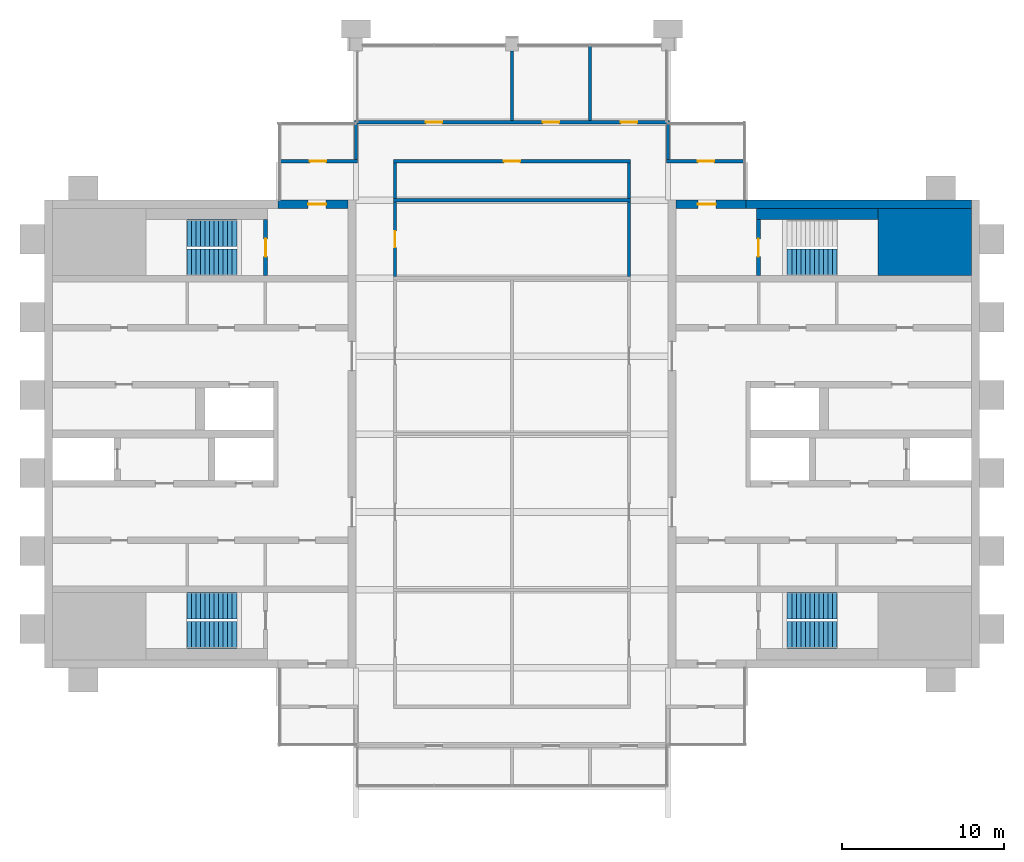
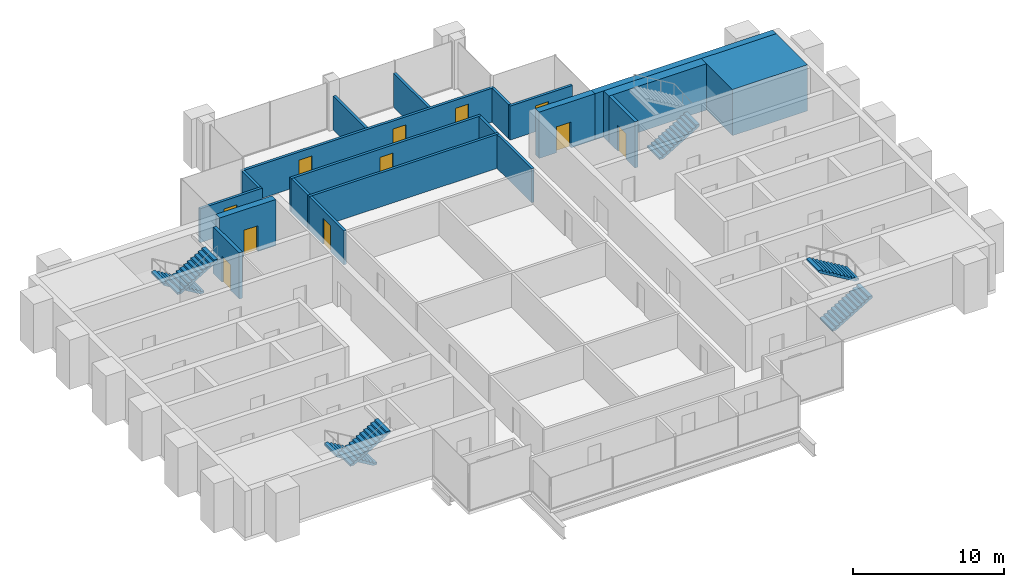
# One storey, part 10 of 12: 20 walls, 11 doors, 7 stair flights, 11 openings, 4 elements without a shape of their own.
"""IFC4 building model written with IfcOpenShell, lengths in metres."""

from ifc_helpers import new_model, si_unit, direction, frame, frame_2d, origin, place, context, subcontext, project, spatial, polyline, rectangle, outline, extrude, material, layer, layer_set, type_object, element, fill, aggregate, save


model = new_model("IFC4")

# Units and contexts
model_context = context("Model", 3, precision=1e-05, world=origin(), true_north=direction((0.0, 1.0)))
body_context = subcontext(model_context, "Body", "Model", "MODEL_VIEW")
ifc_project = project(units=[si_unit("LENGTHUNIT", "METRE"), si_unit("AREAUNIT", "SQUARE_METRE"), si_unit("VOLUMEUNIT", "CUBIC_METRE"), si_unit("PLANEANGLEUNIT", "RADIAN"), si_unit("MASSUNIT", "GRAM", prefix="KILO")], contexts=[model_context])

# Site, building, storey
site_placement = place(None, origin())
site = spatial("IfcSite", under=ifc_project, at=site_placement, CompositionType="ELEMENT")
building_placement = place(site_placement, origin())
building = spatial("IfcBuilding", under=site, at=building_placement, Name="Baori Bourse Tower", CompositionType="ELEMENT")
storey_placement = place(building_placement, frame((0.0, 0.0, 362.300048828125)))
storey = spatial("IfcBuildingStorey", under=building, at=storey_placement, Name="L81", CompositionType="ELEMENT", Elevation=362.300048828125)

# Wall
ifc_material_1 = material(Name="Concrete f'c 40 MPa", Category="concrete")
wall_type_1 = type_object("IfcWallType", Name="Core corner block f'c 40", PredefinedType="SHEAR", material=ifc_material_1)
wall_1_placement = place(storey_placement, frame((51.35009765625, 35.824951171875, 0.0), z_axis=(0.0, 0.0, 1.0), x_axis=(1.0, 0.0, 0.0)))
element("IfcWall", 1, at=wall_1_placement, inside=storey, type_object=wall_type_1, Name="Core wall E23", PredefinedType="SHEAR", context=body_context, shape_type="SweptSolid", body=[
    extrude(rectangle(XDim=5.75, YDim=4.14990234375, at=frame_2d((2.875, 0.0))), origin(), (0.0, 0.0, 1.0), 3.75),
])

# Wall, opening, door
ifc_material_2 = material(Name="Concrete f'c 40 MPa", Category="concrete")
ifc_layer_1 = layer(ifc_material_2, 0.5)
ifc_layer_set_1 = layer_set([ifc_layer_1], Name="Core wall 500 f'c 40")
wall_type_2 = type_object("IfcWallType", Name="Core wall 500 f'c 40", PredefinedType="SHEAR", material=ifc_layer_set_1)
wall_2_placement = place(storey_placement, frame((14.39990234375, 38.14990234375, 0.0), z_axis=(0.0, 0.0, 1.0), x_axis=(1.0, 0.0, 0.0)))
wall_2 = element("IfcWall", 2, at=wall_2_placement, inside=storey, type_object=wall_type_2, Name="Core wall W27", PredefinedType="SHEAR", context=body_context, shape_type="SweptSolid", body=[
    extrude(rectangle(XDim=4.300048828125, YDim=0.5, at=frame_2d((2.14990234375, 0.0))), origin(), (0.0, 0.0, 1.0), 3.75),
])
opening_1_placement = place(wall_2_placement, frame((1.85009765625, 0.0, 0.0)))
opening_1 = element("IfcOpeningElement", 3, at=opening_1_placement, cuts=wall_2, Name="Opening L81-D104", PredefinedType="OPENING", context=body_context, shape_type="SweptSolid", body=[
    extrude(rectangle(XDim=1.10009765625, YDim=2.10009765625, at=frame_2d((0.550048828125, 1.050048828125))), frame((0.0, 0.260009765625, 0.0), z_axis=(0.0, -1.0, 0.0), x_axis=(1.0, 0.0, 0.0)), (0.0, 0.0, 1.0), 0.52001953125),
])
ifc_material_3 = material(Name="Painted steel door", Category="steel")
door_type_1 = type_object("IfcDoorType", Name="Stair door 1100", OperationType="SINGLE_SWING_LEFT", PredefinedType="DOOR", material=ifc_material_3)
door_1_placement = place(opening_1_placement, origin())
door_1 = element("IfcDoor", 4, at=door_1_placement, inside=storey, type_object=door_type_1, Name="Stair vestibule door B W L81", OperationType="SINGLE_SWING_LEFT", OverallHeight=2.10009765625, OverallWidth=1.10009765625, PredefinedType="DOOR", context=body_context, shape_type="SweptSolid", body=[
    extrude(rectangle(XDim=1.10009765625, YDim=2.10009765625, at=frame_2d((0.550048828125, 1.050048828125))), frame((0.0, 0.02490234375, 0.0), z_axis=(0.0, -1.0, 0.0), x_axis=(1.0, 0.0, 0.0)), (0.0, 0.0, 1.0), 0.050048828125),
])
fill(opening_1, door_1)

# Wall
wall_3_placement = place(storey_placement, frame((43.199951171875, 38.14990234375, 0.0), z_axis=(0.0, 0.0, 1.0), x_axis=(1.0, 0.0, 0.0)))
element("IfcWall", 5, at=wall_3_placement, inside=storey, type_object=wall_type_2, Name="Core wall E26", PredefinedType="SHEAR", context=body_context, shape_type="SweptSolid", body=[
    extrude(rectangle(XDim=13.900146484375, YDim=0.5, at=frame_2d((6.9501953125, 0.0))), origin(), (0.0, 0.0, 1.0), 3.75),
])

# Wall, opening, door
wall_4_placement = place(storey_placement, frame((38.89990234375, 38.14990234375, 0.0), z_axis=(0.0, 0.0, 1.0), x_axis=(1.0, 0.0, 0.0)))
wall_4 = element("IfcWall", 6, at=wall_4_placement, inside=storey, type_object=wall_type_2, Name="Core wall E27", PredefinedType="SHEAR", context=body_context, shape_type="SweptSolid", body=[
    extrude(rectangle(XDim=4.300048828125, YDim=0.5, at=frame_2d((2.14990234375, 0.0))), origin(), (0.0, 0.0, 1.0), 3.75),
])
opening_2_placement = place(wall_4_placement, frame((1.35009765625, 0.0, 0.0)))
opening_2 = element("IfcOpeningElement", 7, at=opening_2_placement, cuts=wall_4, Name="Opening L81-D204", PredefinedType="OPENING", context=body_context, shape_type="SweptSolid", body=[
    extrude(rectangle(XDim=1.10009765625, YDim=2.10009765625, at=frame_2d((0.550048828125, 1.050048828125))), frame((0.0, 0.260009765625, 0.0), z_axis=(0.0, -1.0, 0.0), x_axis=(1.0, 0.0, 0.0)), (0.0, 0.0, 1.0), 0.52001953125),
])
door_2_placement = place(opening_2_placement, origin())
door_2 = element("IfcDoor", 8, at=door_2_placement, inside=storey, type_object=door_type_1, Name="Stair vestibule door B E L81", OperationType="SINGLE_SWING_LEFT", OverallHeight=2.10009765625, OverallWidth=1.10009765625, PredefinedType="DOOR", context=body_context, shape_type="SweptSolid", body=[
    extrude(rectangle(XDim=1.10009765625, YDim=2.10009765625, at=frame_2d((0.550048828125, 1.050048828125))), frame((0.0, 0.02490234375, 0.0), z_axis=(0.0, -1.0, 0.0), x_axis=(1.0, 0.0, 0.0)), (0.0, 0.0, 1.0), 0.050048828125),
])
fill(opening_2, door_2)

# Wall
ifc_material_4 = material(Name="Gypsum board partition")
ifc_layer_2 = layer(ifc_material_4, 0.199951171875)
ifc_layer_set_2 = layer_set([ifc_layer_2], Name="Plant room wall 200")
wall_type_3 = type_object("IfcWallType", Name="Plant room wall 200", PredefinedType="PARTITIONING", material=ifc_layer_set_2)
wall_5_placement = place(storey_placement, frame((21.5, 38.39990234375, 0.0), z_axis=(0.0, 0.0, 1.0), x_axis=(1.0, 0.0, 0.0)))
element("IfcWall", 9, at=wall_5_placement, inside=storey, type_object=wall_type_3, Name="Partition", PredefinedType="PARTITIONING", context=body_context, shape_type="SweptSolid", body=[
    extrude(rectangle(XDim=14.60009765625, YDim=0.199951171875, at=frame_2d((7.300048828125, 0.0))), origin(), (0.0, 0.0, 1.0), 2.75927734375),
])

# Wall, opening, door
wall_6_placement = place(storey_placement, frame((14.5, 40.800048828125, 0.0), z_axis=(0.0, 0.0, 1.0), x_axis=(1.0, 0.0, 0.0)))
wall_6 = element("IfcWall", 10, at=wall_6_placement, inside=storey, type_object=wall_type_3, Name="Partition", PredefinedType="PARTITIONING", context=body_context, shape_type="SweptSolid", body=[
    extrude(rectangle(XDim=4.800048828125, YDim=0.199951171875, at=frame_2d((2.39990234375, 0.0))), origin(), (0.0, 0.0, 1.0), 2.75927734375),
])
opening_3_placement = place(wall_6_placement, frame((1.85009765625, 0.0, 0.0)))
opening_3 = element("IfcOpeningElement", 11, at=opening_3_placement, cuts=wall_6, Name="Opening L81-D06", PredefinedType="OPENING", context=body_context, shape_type="SweptSolid", body=[
    extrude(rectangle(XDim=1.0, YDim=2.10009765625, at=frame_2d((0.5, 1.050048828125))), frame((0.0, 0.10986328125, 0.0), z_axis=(0.0, -1.0, 0.0), x_axis=(1.0, 0.0, 0.0)), (0.0, 0.0, 1.0), 0.219970703125),
])
ifc_material_5 = material(Name="Timber door leaf", Category="wood")
door_type_2 = type_object("IfcDoorType", Name="Door 1000 x 2100", OperationType="SINGLE_SWING_LEFT", PredefinedType="DOOR", material=ifc_material_5)
door_3_placement = place(opening_3_placement, origin())
door_3 = element("IfcDoor", 12, at=door_3_placement, inside=storey, type_object=door_type_2, Name="Door", OperationType="SINGLE_SWING_RIGHT", OverallHeight=2.10009765625, OverallWidth=1.0, PredefinedType="DOOR", context=body_context, shape_type="SweptSolid", body=[
    extrude(rectangle(XDim=1.0, YDim=2.10009765625, at=frame_2d((0.5, 1.050048828125))), frame((0.0, 0.02490234375, 0.0), z_axis=(0.0, -1.0, 0.0), x_axis=(1.0, 0.0, 0.0)), (0.0, 0.0, 1.0), 0.050048828125),
])
fill(opening_3, door_3)

wall_7_placement = place(storey_placement, frame((21.5, 40.800048828125, 0.0), z_axis=(0.0, 0.0, 1.0), x_axis=(1.0, 0.0, 0.0)))
wall_7 = element("IfcWall", 13, at=wall_7_placement, inside=storey, type_object=wall_type_3, Name="Partition", PredefinedType="PARTITIONING", context=body_context, shape_type="SweptSolid", body=[
    extrude(rectangle(XDim=14.60009765625, YDim=0.199951171875, at=frame_2d((7.300048828125, 0.0))), origin(), (0.0, 0.0, 1.0), 2.75927734375),
])
opening_4_placement = place(wall_7_placement, frame((6.800048828125, 0.0, 0.0)))
opening_4 = element("IfcOpeningElement", 14, at=opening_4_placement, cuts=wall_7, Name="Opening L81-D07", PredefinedType="OPENING", context=body_context, shape_type="SweptSolid", body=[
    extrude(rectangle(XDim=1.0, YDim=2.10009765625, at=frame_2d((0.5, 1.050048828125))), frame((0.0, 0.10986328125, 0.0), z_axis=(0.0, -1.0, 0.0), x_axis=(1.0, 0.0, 0.0)), (0.0, 0.0, 1.0), 0.219970703125),
])
door_4_placement = place(opening_4_placement, origin())
door_4 = element("IfcDoor", 15, at=door_4_placement, inside=storey, type_object=door_type_2, Name="Door", OperationType="SINGLE_SWING_LEFT", OverallHeight=2.10009765625, OverallWidth=1.0, PredefinedType="DOOR", context=body_context, shape_type="SweptSolid", body=[
    extrude(rectangle(XDim=1.0, YDim=2.10009765625, at=frame_2d((0.5, 1.050048828125))), frame((0.0, 0.02490234375, 0.0), z_axis=(0.0, -1.0, 0.0), x_axis=(1.0, 0.0, 0.0)), (0.0, 0.0, 1.0), 0.050048828125),
])
fill(opening_4, door_4)

wall_8_placement = place(storey_placement, frame((38.300048828125, 40.800048828125, 0.0), z_axis=(0.0, 0.0, 1.0), x_axis=(1.0, 0.0, 0.0)))
wall_8 = element("IfcWall", 16, at=wall_8_placement, inside=storey, type_object=wall_type_3, Name="Partition", PredefinedType="PARTITIONING", context=body_context, shape_type="SweptSolid", body=[
    extrude(rectangle(XDim=4.800048828125, YDim=0.199951171875, at=frame_2d((2.39990234375, 0.0))), origin(), (0.0, 0.0, 1.0), 2.75927734375),
])
opening_5_placement = place(wall_8_placement, frame((1.949951171875, 0.0, 0.0)))
opening_5 = element("IfcOpeningElement", 17, at=opening_5_placement, cuts=wall_8, Name="Opening L81-D08", PredefinedType="OPENING", context=body_context, shape_type="SweptSolid", body=[
    extrude(rectangle(XDim=1.0, YDim=2.10009765625, at=frame_2d((0.5, 1.050048828125))), frame((0.0, 0.10986328125, 0.0), z_axis=(0.0, -1.0, 0.0), x_axis=(1.0, 0.0, 0.0)), (0.0, 0.0, 1.0), 0.219970703125),
])
door_5_placement = place(opening_5_placement, origin())
door_5 = element("IfcDoor", 18, at=door_5_placement, inside=storey, type_object=door_type_2, Name="Door", OperationType="SINGLE_SWING_LEFT", OverallHeight=2.10009765625, OverallWidth=1.0, PredefinedType="DOOR", context=body_context, shape_type="SweptSolid", body=[
    extrude(rectangle(XDim=1.0, YDim=2.10009765625, at=frame_2d((0.5, 1.050048828125))), frame((0.0, 0.02490234375, 0.0), z_axis=(0.0, -1.0, 0.0), x_axis=(1.0, 0.0, 0.0)), (0.0, 0.0, 1.0), 0.050048828125),
])
fill(opening_5, door_5)

# Wall, openings, doors
wall_9_placement = place(storey_placement, frame((19.10009765625, 43.199951171875, 0.0), z_axis=(0.0, 0.0, 1.0), x_axis=(1.0, 0.0, 0.0)))
wall_9 = element("IfcWall", 19, at=wall_9_placement, inside=storey, type_object=wall_type_3, Name="Partition", PredefinedType="PARTITIONING", context=body_context, shape_type="SweptSolid", body=[
    extrude(rectangle(XDim=19.39990234375, YDim=0.199951171875, at=frame_2d((9.699951171875, 0.0))), origin(), (0.0, 0.0, 1.0), 2.75927734375),
])
opening_6_placement = place(wall_9_placement, frame((4.39990234375, 0.0, 0.0)))
opening_6 = element("IfcOpeningElement", 20, at=opening_6_placement, cuts=wall_9, Name="Opening L81-D09", PredefinedType="OPENING", context=body_context, shape_type="SweptSolid", body=[
    extrude(rectangle(XDim=1.0, YDim=2.10009765625, at=frame_2d((0.5, 1.050048828125))), frame((0.0, 0.10986328125, 0.0), z_axis=(0.0, -1.0, 0.0), x_axis=(1.0, 0.0, 0.0)), (0.0, 0.0, 1.0), 0.219970703125),
])
opening_7_placement = place(wall_9_placement, frame((11.60009765625, 0.0, 0.0)))
opening_7 = element("IfcOpeningElement", 21, at=opening_7_placement, cuts=wall_9, Name="Opening L81-D10", PredefinedType="OPENING", context=body_context, shape_type="SweptSolid", body=[
    extrude(rectangle(XDim=1.0, YDim=2.10009765625, at=frame_2d((0.5, 1.050048828125))), frame((0.0, 0.10986328125, 0.0), z_axis=(0.0, -1.0, 0.0), x_axis=(1.0, 0.0, 0.0)), (0.0, 0.0, 1.0), 0.219970703125),
])
opening_8_placement = place(wall_9_placement, frame((16.39990234375, 0.0, 0.0)))
opening_8 = element("IfcOpeningElement", 22, at=opening_8_placement, cuts=wall_9, Name="Opening L81-D11", PredefinedType="OPENING", context=body_context, shape_type="SweptSolid", body=[
    extrude(rectangle(XDim=1.0, YDim=2.10009765625, at=frame_2d((0.5, 1.050048828125))), frame((0.0, 0.10986328125, 0.0), z_axis=(0.0, -1.0, 0.0), x_axis=(1.0, 0.0, 0.0)), (0.0, 0.0, 1.0), 0.219970703125),
])
door_6_placement = place(opening_6_placement, origin())
door_6 = element("IfcDoor", 23, at=door_6_placement, inside=storey, type_object=door_type_2, Name="Door", OperationType="SINGLE_SWING_RIGHT", OverallHeight=2.10009765625, OverallWidth=1.0, PredefinedType="DOOR", context=body_context, shape_type="SweptSolid", body=[
    extrude(rectangle(XDim=1.0, YDim=2.10009765625, at=frame_2d((0.5, 1.050048828125))), frame((0.0, 0.02490234375, 0.0), z_axis=(0.0, -1.0, 0.0), x_axis=(1.0, 0.0, 0.0)), (0.0, 0.0, 1.0), 0.050048828125),
])
fill(opening_6, door_6)
door_7_placement = place(opening_7_placement, origin())
door_7 = element("IfcDoor", 24, at=door_7_placement, inside=storey, type_object=door_type_2, Name="Door", OperationType="SINGLE_SWING_LEFT", OverallHeight=2.10009765625, OverallWidth=1.0, PredefinedType="DOOR", context=body_context, shape_type="SweptSolid", body=[
    extrude(rectangle(XDim=1.0, YDim=2.10009765625, at=frame_2d((0.5, 1.050048828125))), frame((0.0, 0.02490234375, 0.0), z_axis=(0.0, -1.0, 0.0), x_axis=(1.0, 0.0, 0.0)), (0.0, 0.0, 1.0), 0.050048828125),
])
fill(opening_7, door_7)
door_8_placement = place(opening_8_placement, origin())
door_8 = element("IfcDoor", 25, at=door_8_placement, inside=storey, type_object=door_type_2, Name="Door", OperationType="SINGLE_SWING_LEFT", OverallHeight=2.10009765625, OverallWidth=1.0, PredefinedType="DOOR", context=body_context, shape_type="SweptSolid", body=[
    extrude(rectangle(XDim=1.0, YDim=2.10009765625, at=frame_2d((0.5, 1.050048828125))), frame((0.0, 0.02490234375, 0.0), z_axis=(0.0, -1.0, 0.0), x_axis=(1.0, 0.0, 0.0)), (0.0, 0.0, 1.0), 0.050048828125),
])
fill(opening_8, door_8)

# Wall
wall_10_placement = place(storey_placement, frame((19.199951171875, 40.89990234375, 0.0), z_axis=(0.0, 0.0, 1.0), x_axis=(0.0, 1.0, 0.0)))
element("IfcWall", 26, at=wall_10_placement, inside=storey, type_object=wall_type_3, Name="Partition", PredefinedType="PARTITIONING", context=body_context, shape_type="SweptSolid", body=[
    extrude(rectangle(XDim=2.2001953125, YDim=0.199951171875, at=frame_2d((1.10009765625, 0.0))), origin(), (0.0, 0.0, 1.0), 2.75927734375),
])

# Wall, opening, door
wall_11_placement = place(storey_placement, frame((21.60009765625, 33.699951171875, 0.0), z_axis=(0.0, 0.0, 1.0), x_axis=(0.0, 1.0, 0.0)))
wall_11 = element("IfcWall", 27, at=wall_11_placement, inside=storey, type_object=wall_type_3, Name="Partition", PredefinedType="PARTITIONING", context=body_context, shape_type="SweptSolid", body=[
    extrude(rectangle(XDim=4.60009765625, YDim=0.199951171875, at=frame_2d((2.300048828125, 0.0))), origin(), (0.0, 0.0, 1.0), 2.75927734375),
])
opening_9_placement = place(wall_11_placement, frame((1.800048828125, 0.0, 0.0)))
opening_9 = element("IfcOpeningElement", 28, at=opening_9_placement, cuts=wall_11, Name="Opening L81-D15", PredefinedType="OPENING", context=body_context, shape_type="SweptSolid", body=[
    extrude(rectangle(XDim=1.0, YDim=2.10009765625, at=frame_2d((0.5, 1.050048828125))), frame((0.0, 0.10986328125, 0.0), z_axis=(0.0, -1.0, 0.0), x_axis=(1.0, 0.0, 0.0)), (0.0, 0.0, 1.0), 0.219970703125),
])
door_9_placement = place(opening_9_placement, origin())
door_9 = element("IfcDoor", 29, at=door_9_placement, inside=storey, type_object=door_type_2, Name="Door", OperationType="SINGLE_SWING_LEFT", OverallHeight=2.10009765625, OverallWidth=1.0, PredefinedType="DOOR", context=body_context, shape_type="SweptSolid", body=[
    extrude(rectangle(XDim=1.0, YDim=2.10009765625, at=frame_2d((0.5, 1.050048828125))), frame((0.0, 0.02490234375, 0.0), z_axis=(0.0, -1.0, 0.0), x_axis=(1.0, 0.0, 0.0)), (0.0, 0.0, 1.0), 0.050048828125),
])
fill(opening_9, door_9)

# Walls
wall_12_placement = place(storey_placement, frame((21.60009765625, 38.5, 0.0), z_axis=(0.0, 0.0, 1.0), x_axis=(0.0, 1.0, 0.0)))
element("IfcWall", 30, at=wall_12_placement, inside=storey, type_object=wall_type_3, Name="Partition", PredefinedType="PARTITIONING", context=body_context, shape_type="SweptSolid", body=[
    extrude(rectangle(XDim=2.199951171875, YDim=0.199951171875, at=frame_2d((1.10009765625, 0.0))), origin(), (0.0, 0.0, 1.0), 2.75927734375),
])
wall_13_placement = place(storey_placement, frame((28.800048828125, 43.300048828125, 0.0), z_axis=(0.0, 0.0, 1.0), x_axis=(0.0, 1.0, 0.0)))
element("IfcWall", 31, at=wall_13_placement, inside=storey, type_object=wall_type_3, Name="Partition", PredefinedType="PARTITIONING", context=body_context, shape_type="SweptSolid", body=[
    extrude(rectangle(XDim=4.300048828125, YDim=0.199951171875, at=frame_2d((2.14990234375, 0.0))), origin(), (0.0, 0.0, 1.0), 2.75927734375),
])
wall_14_placement = place(storey_placement, frame((33.60009765625, 43.300048828125, 0.0), z_axis=(0.0, 0.0, 1.0), x_axis=(0.0, 1.0, 0.0)))
element("IfcWall", 32, at=wall_14_placement, inside=storey, type_object=wall_type_3, Name="Partition", PredefinedType="PARTITIONING", context=body_context, shape_type="SweptSolid", body=[
    extrude(rectangle(XDim=4.599853515625, YDim=0.199951171875, at=frame_2d((2.2998046875, 0.0))), origin(), (0.0, 0.0, 1.0), 2.75927734375),
])
wall_15_placement = place(storey_placement, frame((36.0, 33.699951171875, 0.0), z_axis=(0.0, 0.0, 1.0), x_axis=(0.0, 1.0, 0.0)))
element("IfcWall", 33, at=wall_15_placement, inside=storey, type_object=wall_type_3, Name="Partition", PredefinedType="PARTITIONING", context=body_context, shape_type="SweptSolid", body=[
    extrude(rectangle(XDim=4.60009765625, YDim=0.199951171875, at=frame_2d((2.300048828125, 0.0))), origin(), (0.0, 0.0, 1.0), 2.75927734375),
])
wall_16_placement = place(storey_placement, frame((36.0, 38.5, 0.0), z_axis=(0.0, 0.0, 1.0), x_axis=(0.0, 1.0, 0.0)))
element("IfcWall", 34, at=wall_16_placement, inside=storey, type_object=wall_type_3, Name="Partition", PredefinedType="PARTITIONING", context=body_context, shape_type="SweptSolid", body=[
    extrude(rectangle(XDim=2.199951171875, YDim=0.199951171875, at=frame_2d((1.10009765625, 0.0))), origin(), (0.0, 0.0, 1.0), 2.75927734375),
])
wall_17_placement = place(storey_placement, frame((38.39990234375, 40.89990234375, 0.0), z_axis=(0.0, 0.0, 1.0), x_axis=(0.0, 1.0, 0.0)))
element("IfcWall", 35, at=wall_17_placement, inside=storey, type_object=wall_type_3, Name="Partition", PredefinedType="PARTITIONING", context=body_context, shape_type="SweptSolid", body=[
    extrude(rectangle(XDim=2.2001953125, YDim=0.199951171875, at=frame_2d((1.10009765625, 0.0))), origin(), (0.0, 0.0, 1.0), 2.75927734375),
])

# Wall, opening, door
ifc_material_6 = material(Name="Concrete f'c 40 MPa", Category="concrete")
ifc_layer_3 = layer(ifc_material_6, 0.25)
ifc_layer_set_3 = layer_set([ifc_layer_3], Name="Shaft wall 250 f'c 40")
wall_type_4 = type_object("IfcWallType", Name="Shaft wall 250 f'c 40", PredefinedType="SHEAR", material=ifc_layer_set_3)
wall_18_placement = place(storey_placement, frame((13.625, 33.75, 0.0), z_axis=(0.0, 0.0, 1.0), x_axis=(0.0, 1.0, 0.0)))
wall_18 = element("IfcWall", 36, at=wall_18_placement, inside=storey, type_object=wall_type_4, Name="Core wall W24", PredefinedType="SHEAR", context=body_context, shape_type="SweptSolid", body=[
    extrude(rectangle(XDim=3.449951171875, YDim=0.25, at=frame_2d((1.72509765625, 0.0))), origin(), (0.0, 0.0, 1.0), 3.75),
])
opening_10_placement = place(wall_18_placement, frame((1.175048828125, 0.0, 0.0)))
opening_10 = element("IfcOpeningElement", 37, at=opening_10_placement, cuts=wall_18, Name="Opening L81-D103", PredefinedType="OPENING", context=body_context, shape_type="SweptSolid", body=[
    extrude(rectangle(XDim=1.10009765625, YDim=2.10009765625, at=frame_2d((0.550048828125, 1.050048828125))), frame((0.0, 0.135009765625, 0.0), z_axis=(0.0, -1.0, 0.0), x_axis=(1.0, 0.0, 0.0)), (0.0, 0.0, 1.0), 0.27001953125),
])
door_10_placement = place(opening_10_placement, origin())
door_10 = element("IfcDoor", 38, at=door_10_placement, inside=storey, type_object=door_type_1, Name="Stair door B W L81", OperationType="SINGLE_SWING_LEFT", OverallHeight=2.10009765625, OverallWidth=1.10009765625, PredefinedType="DOOR", context=body_context, shape_type="SweptSolid", body=[
    extrude(rectangle(XDim=1.10009765625, YDim=2.10009765625, at=frame_2d((0.550048828125, 1.050048828125))), frame((0.0, 0.02490234375, 0.0), z_axis=(0.0, -1.0, 0.0), x_axis=(1.0, 0.0, 0.0)), (0.0, 0.0, 1.0), 0.050048828125),
])
fill(opening_10, door_10)

wall_19_placement = place(storey_placement, frame((43.97509765625, 33.75, 0.0), z_axis=(0.0, 0.0, 1.0), x_axis=(0.0, 1.0, 0.0)))
wall_19 = element("IfcWall", 39, at=wall_19_placement, inside=storey, type_object=wall_type_4, Name="Core wall E24", PredefinedType="SHEAR", context=body_context, shape_type="SweptSolid", body=[
    extrude(rectangle(XDim=3.449951171875, YDim=0.25, at=frame_2d((1.72509765625, 0.0))), origin(), (0.0, 0.0, 1.0), 3.75),
])
opening_11_placement = place(wall_19_placement, frame((1.175048828125, 0.0, 0.0)))
opening_11 = element("IfcOpeningElement", 40, at=opening_11_placement, cuts=wall_19, Name="Opening L81-D203", PredefinedType="OPENING", context=body_context, shape_type="SweptSolid", body=[
    extrude(rectangle(XDim=1.10009765625, YDim=2.10009765625, at=frame_2d((0.550048828125, 1.050048828125))), frame((0.0, 0.135009765625, 0.0), z_axis=(0.0, -1.0, 0.0), x_axis=(1.0, 0.0, 0.0)), (0.0, 0.0, 1.0), 0.27001953125),
])
door_11_placement = place(opening_11_placement, origin())
door_11 = element("IfcDoor", 41, at=door_11_placement, inside=storey, type_object=door_type_1, Name="Stair door B E L81", OperationType="SINGLE_SWING_LEFT", OverallHeight=2.10009765625, OverallWidth=1.10009765625, PredefinedType="DOOR", context=body_context, shape_type="SweptSolid", body=[
    extrude(rectangle(XDim=1.10009765625, YDim=2.10009765625, at=frame_2d((0.550048828125, 1.050048828125))), frame((0.0, 0.02490234375, 0.0), z_axis=(0.0, -1.0, 0.0), x_axis=(1.0, 0.0, 0.0)), (0.0, 0.0, 1.0), 0.050048828125),
])
fill(opening_11, door_11)

# Wall
ifc_material_7 = material(Name="Concrete f'c 40 MPa", Category="concrete")
ifc_layer_4 = layer(ifc_material_7, 0.699951171875)
ifc_layer_set_4 = layer_set([ifc_layer_4], Name="Shaft wall 700 f'c 40")
wall_type_5 = type_object("IfcWallType", Name="Shaft wall 700 f'c 40", PredefinedType="SHEAR", material=ifc_layer_set_4)
wall_20_placement = place(storey_placement, frame((43.85009765625, 37.550048828125, 0.0), z_axis=(0.0, 0.0, 1.0), x_axis=(1.0, 0.0, 0.0)))
element("IfcWall", 42, at=wall_20_placement, inside=storey, type_object=wall_type_5, Name="Core wall E25", PredefinedType="SHEAR", context=body_context, shape_type="SweptSolid", body=[
    extrude(rectangle(XDim=7.5, YDim=0.699951171875, at=frame_2d((3.75, 0.0))), origin(), (0.0, 0.0, 1.0), 3.75),
])

# Stair, stair flights
ifc_material_8 = material(Name="Concrete f'c 50 MPa", Category="concrete")
stair_type = type_object("IfcStairType", Name="Core stair", PredefinedType="HALF_TURN_STAIR", material=ifc_material_8)
stair_1_placement = place(storey_placement, origin())
stair_1 = element("IfcStair", 43, at=stair_1_placement, inside=storey, type_object=stair_type, Name="L81 Stair WA", PredefinedType="HALF_TURN_STAIR")
ifc_material_9 = material(Name="Concrete f'c 50 MPa", Category="concrete")
stair_flight_type = type_object("IfcStairFlightType", Name="Core stair flight", PredefinedType="STRAIGHT", material=ifc_material_9)
stair_flight_1_placement = place(storey_placement, frame((11.85009765625, 13.425048828125, 0.0), z_axis=(0.0, 0.0, 1.0), x_axis=(-1.0, 0.0, 0.0)))
stair_flight_1 = element("IfcStairFlight", 44, at=stair_flight_1_placement, type_object=stair_flight_type, Name="ST1 flight 1", NumberOfRisers=12, NumberOfTreads=11, PredefinedType="STRAIGHT", RiserHeight=0.166666667, TreadLength=0.28, context=body_context, shape_type="SweptSolid", body=[
    extrude(outline(polyline([(0.0, 0.0), (0.0, 0.166748046875), (0.280029296875, 0.166748046875), (0.280029296875, 0.333251953125), (0.56005859375, 0.333251953125), (0.56005859375, 0.5), (0.840087890625, 0.5), (0.840087890625, 0.666748046875), (1.1201171875, 0.666748046875), (1.1201171875, 0.833251953125), (1.39990234375, 0.833251953125), (1.39990234375, 1.0), (1.679931640625, 1.0), (1.679931640625, 1.166748046875), (1.9599609375, 1.166748046875), (1.9599609375, 1.333251953125), (2.239990234375, 1.333251953125), (2.239990234375, 1.5), (2.52001953125, 1.5), (2.52001953125, 1.666748046875), (2.800048828125, 1.666748046875), (2.800048828125, 1.833251953125), (3.080078125, 1.833251953125), (3.080078125, 2.0), (3.080078125, 1.658935546875), (0.29296875, 0.0), (0.0, 0.0)])), frame((0.0, 0.824951171875, 0.0), z_axis=(0.0, -1.0, 0.0), x_axis=(1.0, 0.0, 0.0)), (0.0, 0.0, 1.0), 1.64990234375),
])
stair_flight_2_placement = place(storey_placement, frame((8.77001953125, 11.625, 2.0), z_axis=(0.0, 0.0, 1.0), x_axis=(1.0, 0.0, 0.0)))
stair_flight_2 = element("IfcStairFlight", 45, at=stair_flight_2_placement, type_object=stair_flight_type, Name="ST1 flight 2", NumberOfRisers=12, NumberOfTreads=11, PredefinedType="STRAIGHT", RiserHeight=0.166666667, TreadLength=0.28, context=body_context, shape_type="SweptSolid", body=[
    extrude(outline(polyline([(0.0, 0.0), (0.0, 0.166748046875), (0.280029296875, 0.166748046875), (0.280029296875, 0.333251953125), (0.56005859375, 0.333251953125), (0.56005859375, 0.5), (0.840087890625, 0.5), (0.840087890625, 0.666748046875), (1.1201171875, 0.666748046875), (1.1201171875, 0.833251953125), (1.39990234375, 0.833251953125), (1.39990234375, 1.0), (1.679931640625, 1.0), (1.679931640625, 1.166748046875), (1.9599609375, 1.166748046875), (1.9599609375, 1.333251953125), (2.239990234375, 1.333251953125), (2.239990234375, 1.5), (2.52001953125, 1.5), (2.52001953125, 1.666748046875), (2.800048828125, 1.666748046875), (2.800048828125, 1.833251953125), (3.080078125, 1.833251953125), (3.080078125, 2.0), (3.080078125, 1.658935546875), (0.29296875, 0.0), (0.0, 0.0)])), frame((0.0, 0.824951171875, 0.0), z_axis=(0.0, -1.0, 0.0), x_axis=(1.0, 0.0, 0.0)), (0.0, 0.0, 1.0), 1.64990234375),
])
aggregate(stair_1, [stair_flight_1, stair_flight_2])

stair_2_placement = place(storey_placement, origin())
stair_2 = element("IfcStair", 46, at=stair_2_placement, inside=storey, type_object=stair_type, Name="L81 Stair WB", PredefinedType="HALF_TURN_STAIR")
stair_flight_3_placement = place(storey_placement, frame((11.85009765625, 36.375, 0.0), z_axis=(0.0, 0.0, 1.0), x_axis=(-1.0, 0.0, 0.0)))
stair_flight_3 = element("IfcStairFlight", 47, at=stair_flight_3_placement, type_object=stair_flight_type, Name="ST2 flight 1", NumberOfRisers=12, NumberOfTreads=11, PredefinedType="STRAIGHT", RiserHeight=0.166666667, TreadLength=0.28, context=body_context, shape_type="SweptSolid", body=[
    extrude(outline(polyline([(0.0, 0.0), (0.0, 0.166748046875), (0.280029296875, 0.166748046875), (0.280029296875, 0.333251953125), (0.56005859375, 0.333251953125), (0.56005859375, 0.5), (0.840087890625, 0.5), (0.840087890625, 0.666748046875), (1.1201171875, 0.666748046875), (1.1201171875, 0.833251953125), (1.39990234375, 0.833251953125), (1.39990234375, 1.0), (1.679931640625, 1.0), (1.679931640625, 1.166748046875), (1.9599609375, 1.166748046875), (1.9599609375, 1.333251953125), (2.239990234375, 1.333251953125), (2.239990234375, 1.5), (2.52001953125, 1.5), (2.52001953125, 1.666748046875), (2.800048828125, 1.666748046875), (2.800048828125, 1.833251953125), (3.080078125, 1.833251953125), (3.080078125, 2.0), (3.080078125, 1.658935546875), (0.29296875, 0.0), (0.0, 0.0)])), frame((0.0, 0.824951171875, 0.0), z_axis=(0.0, -1.0, 0.0), x_axis=(1.0, 0.0, 0.0)), (0.0, 0.0, 1.0), 1.64990234375),
])
stair_flight_4_placement = place(storey_placement, frame((8.77001953125, 34.574951171875, 2.0), z_axis=(0.0, 0.0, 1.0), x_axis=(1.0, 0.0, 0.0)))
stair_flight_4 = element("IfcStairFlight", 48, at=stair_flight_4_placement, type_object=stair_flight_type, Name="ST2 flight 2", NumberOfRisers=12, NumberOfTreads=11, PredefinedType="STRAIGHT", RiserHeight=0.166666667, TreadLength=0.28, context=body_context, shape_type="SweptSolid", body=[
    extrude(outline(polyline([(0.0, 0.0), (0.0, 0.166748046875), (0.280029296875, 0.166748046875), (0.280029296875, 0.333251953125), (0.56005859375, 0.333251953125), (0.56005859375, 0.5), (0.840087890625, 0.5), (0.840087890625, 0.666748046875), (1.1201171875, 0.666748046875), (1.1201171875, 0.833251953125), (1.39990234375, 0.833251953125), (1.39990234375, 1.0), (1.679931640625, 1.0), (1.679931640625, 1.166748046875), (1.9599609375, 1.166748046875), (1.9599609375, 1.333251953125), (2.239990234375, 1.333251953125), (2.239990234375, 1.5), (2.52001953125, 1.5), (2.52001953125, 1.666748046875), (2.800048828125, 1.666748046875), (2.800048828125, 1.833251953125), (3.080078125, 1.833251953125), (3.080078125, 2.0), (3.080078125, 1.658935546875), (0.29296875, 0.0), (0.0, 0.0)])), frame((0.0, 0.824951171875, 0.0), z_axis=(0.0, -1.0, 0.0), x_axis=(1.0, 0.0, 0.0)), (0.0, 0.0, 1.0), 1.64990234375),
])
aggregate(stair_2, [stair_flight_3, stair_flight_4])

stair_3_placement = place(storey_placement, origin())
stair_3 = element("IfcStair", 49, at=stair_3_placement, inside=storey, type_object=stair_type, Name="L81 Stair EA", PredefinedType="HALF_TURN_STAIR")
stair_flight_5_placement = place(storey_placement, frame((45.75, 11.625, 0.0), z_axis=(0.0, 0.0, 1.0), x_axis=(1.0, 0.0, 0.0)))
stair_flight_5 = element("IfcStairFlight", 50, at=stair_flight_5_placement, type_object=stair_flight_type, Name="ST3 flight 1", NumberOfRisers=12, NumberOfTreads=11, PredefinedType="STRAIGHT", RiserHeight=0.166666667, TreadLength=0.28, context=body_context, shape_type="SweptSolid", body=[
    extrude(outline(polyline([(0.0, 0.0), (0.0, 0.166748046875), (0.280029296875, 0.166748046875), (0.280029296875, 0.333251953125), (0.56005859375, 0.333251953125), (0.56005859375, 0.5), (0.840087890625, 0.5), (0.840087890625, 0.666748046875), (1.1201171875, 0.666748046875), (1.1201171875, 0.833251953125), (1.39990234375, 0.833251953125), (1.39990234375, 1.0), (1.679931640625, 1.0), (1.679931640625, 1.166748046875), (1.9599609375, 1.166748046875), (1.9599609375, 1.333251953125), (2.239990234375, 1.333251953125), (2.239990234375, 1.5), (2.52001953125, 1.5), (2.52001953125, 1.666748046875), (2.800048828125, 1.666748046875), (2.800048828125, 1.833251953125), (3.080078125, 1.833251953125), (3.080078125, 2.0), (3.080078125, 1.658935546875), (0.29296875, 0.0), (0.0, 0.0)])), frame((0.0, 0.824951171875, 0.0), z_axis=(0.0, -1.0, 0.0), x_axis=(1.0, 0.0, 0.0)), (0.0, 0.0, 1.0), 1.64990234375),
])
stair_flight_6_placement = place(storey_placement, frame((48.830078125, 13.425048828125, 2.0), z_axis=(0.0, 0.0, 1.0), x_axis=(-1.0, 0.0, 0.0)))
stair_flight_6 = element("IfcStairFlight", 51, at=stair_flight_6_placement, type_object=stair_flight_type, Name="ST3 flight 2", NumberOfRisers=12, NumberOfTreads=11, PredefinedType="STRAIGHT", RiserHeight=0.166666667, TreadLength=0.28, context=body_context, shape_type="SweptSolid", body=[
    extrude(outline(polyline([(0.0, 0.0), (0.0, 0.166748046875), (0.280029296875, 0.166748046875), (0.280029296875, 0.333251953125), (0.56005859375, 0.333251953125), (0.56005859375, 0.5), (0.840087890625, 0.5), (0.840087890625, 0.666748046875), (1.1201171875, 0.666748046875), (1.1201171875, 0.833251953125), (1.39990234375, 0.833251953125), (1.39990234375, 1.0), (1.679931640625, 1.0), (1.679931640625, 1.166748046875), (1.9599609375, 1.166748046875), (1.9599609375, 1.333251953125), (2.239990234375, 1.333251953125), (2.239990234375, 1.5), (2.52001953125, 1.5), (2.52001953125, 1.666748046875), (2.800048828125, 1.666748046875), (2.800048828125, 1.833251953125), (3.080078125, 1.833251953125), (3.080078125, 2.0), (3.080078125, 1.658935546875), (0.29296875, 0.0), (0.0, 0.0)])), frame((0.0, 0.824951171875, 0.0), z_axis=(0.0, -1.0, 0.0), x_axis=(1.0, 0.0, 0.0)), (0.0, 0.0, 1.0), 1.64990234375),
])
aggregate(stair_3, [stair_flight_5, stair_flight_6])

# Stair, stair flight
stair_4_placement = place(storey_placement, origin())
stair_4 = element("IfcStair", 52, at=stair_4_placement, inside=storey, type_object=stair_type, Name="L81 Stair EB", PredefinedType="HALF_TURN_STAIR")
stair_flight_7_placement = place(storey_placement, frame((45.75, 34.574951171875, 0.0), z_axis=(0.0, 0.0, 1.0), x_axis=(1.0, 0.0, 0.0)))
stair_flight_7 = element("IfcStairFlight", 53, at=stair_flight_7_placement, type_object=stair_flight_type, Name="ST4 flight 1", NumberOfRisers=12, NumberOfTreads=11, PredefinedType="STRAIGHT", RiserHeight=0.166666667, TreadLength=0.28, context=body_context, shape_type="SweptSolid", body=[
    extrude(outline(polyline([(0.0, 0.0), (0.0, 0.166748046875), (0.280029296875, 0.166748046875), (0.280029296875, 0.333251953125), (0.56005859375, 0.333251953125), (0.56005859375, 0.5), (0.840087890625, 0.5), (0.840087890625, 0.666748046875), (1.1201171875, 0.666748046875), (1.1201171875, 0.833251953125), (1.39990234375, 0.833251953125), (1.39990234375, 1.0), (1.679931640625, 1.0), (1.679931640625, 1.166748046875), (1.9599609375, 1.166748046875), (1.9599609375, 1.333251953125), (2.239990234375, 1.333251953125), (2.239990234375, 1.5), (2.52001953125, 1.5), (2.52001953125, 1.666748046875), (2.800048828125, 1.666748046875), (2.800048828125, 1.833251953125), (3.080078125, 1.833251953125), (3.080078125, 2.0), (3.080078125, 1.658935546875), (0.29296875, 0.0), (0.0, 0.0)])), frame((0.0, 0.824951171875, 0.0), z_axis=(0.0, -1.0, 0.0), x_axis=(1.0, 0.0, 0.0)), (0.0, 0.0, 1.0), 1.64990234375),
])
aggregate(stair_4, [stair_flight_7])

save(model, "model.ifc")
